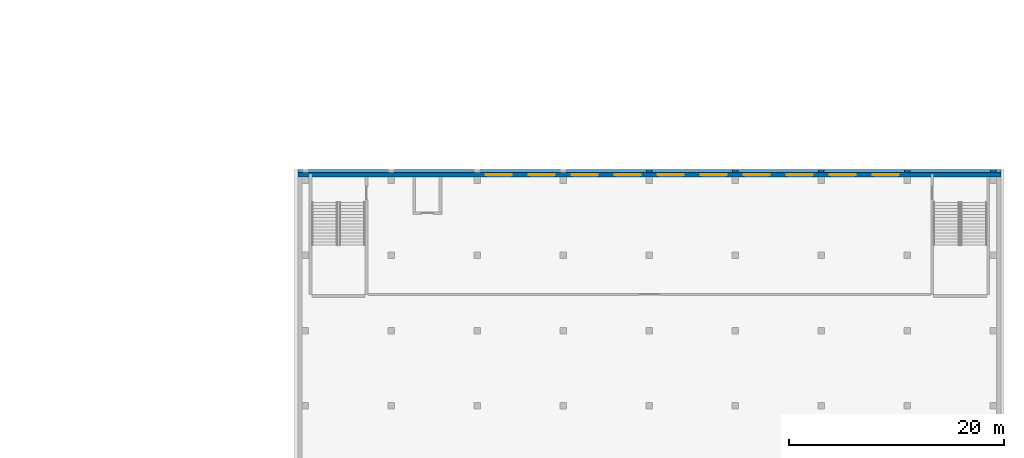
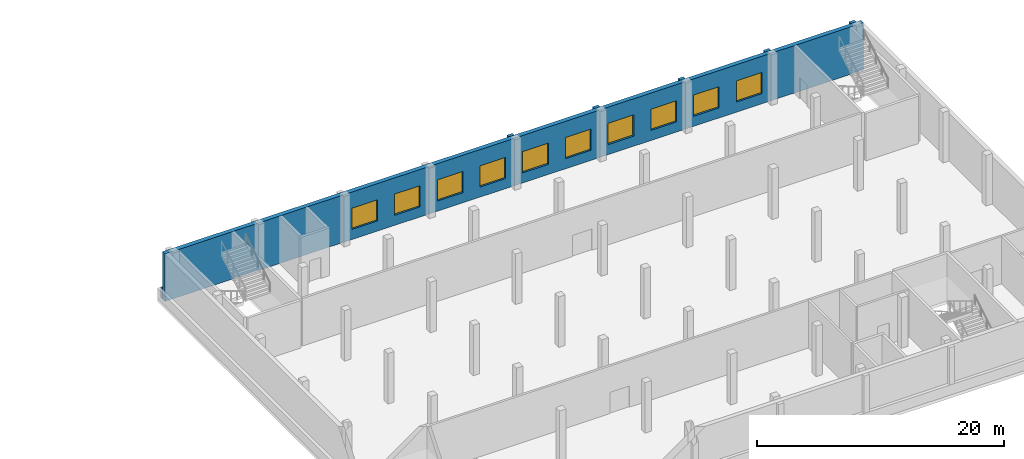
# One storey, part 12 of 32: 10 windows, 7 walls, 10 openings.
"""IFC4 building model written with IfcOpenShell, lengths in metres."""

from ifc_helpers import new_model, si_unit, direction, frame, frame_2d, origin, place, context, subcontext, project, spatial, rectangle, extrude, material, layer, layer_set, type_object, element, fill, save


model = new_model("IFC4")

# Units and contexts
model_context = context("Model", 3, precision=1e-05, world=origin(), true_north=direction((0.0, 1.0)))
body_context = subcontext(model_context, "Body", "Model", "MODEL_VIEW")
ifc_project = project(units=[si_unit("LENGTHUNIT", "METRE"), si_unit("AREAUNIT", "SQUARE_METRE"), si_unit("VOLUMEUNIT", "CUBIC_METRE"), si_unit("PLANEANGLEUNIT", "RADIAN"), si_unit("MASSUNIT", "GRAM", prefix="KILO")], contexts=[model_context])

# Site, building, storey
site_placement = place(None, origin())
site = spatial("IfcSite", under=ifc_project, at=site_placement, CompositionType="ELEMENT")
building_placement = place(site_placement, origin())
building = spatial("IfcBuilding", under=site, at=building_placement, Name="Tamorin Gate", CompositionType="ELEMENT")
storey_placement = place(building_placement, frame((0.0, 0.0, 13.5)))
storey = spatial("IfcBuildingStorey", under=building, at=storey_placement, Name="L02", CompositionType="ELEMENT", Elevation=13.5)

# Wall, openings, windows
ifc_material_1 = material(Name="Concrete C40/50", Category="concrete")
ifc_layer_1 = layer(ifc_material_1, 0.39990234375)
ifc_layer_set_1 = layer_set([ifc_layer_1], Name="Board-marked concrete facade wall 400 C40/50")
wall_type_1 = type_object("IfcWallType", Name="Board-marked concrete facade wall 400 C40/50", PredefinedType="SOLIDWALL", material=ifc_layer_set_1)
wall_1_placement = place(storey_placement, frame((145.0, 98.199951171875, 0.0), z_axis=(0.0, 0.0, 1.0), x_axis=(1.0, 0.0, 0.0)))
wall_1 = element("IfcWall", 1, at=wall_1_placement, inside=storey, type_object=wall_type_1, Name="Facade wall", PredefinedType="SOLIDWALL", context=body_context, shape_type="SweptSolid", body=[
    extrude(rectangle(XDim=65.39990234375, YDim=0.39990234375, at=frame_2d((32.699951171875, 0.0))), origin(), (0.0, 0.0, 1.0), 4.699951171875),
])
opening_1_placement = place(wall_1_placement, frame((17.5, 0.0, 1.0)))
opening_1 = element("IfcOpeningElement", 2, at=opening_1_placement, cuts=wall_1, Name="Opening WNM1", PredefinedType="OPENING", context=body_context, shape_type="SweptSolid", body=[
    extrude(rectangle(XDim=2.39990234375, YDim=2.10009765625, at=frame_2d((1.199951171875, 1.050048828125))), frame((0.0, 0.2099609375, 0.0), z_axis=(0.0, -1.0, 0.0), x_axis=(1.0, 0.0, 0.0)), (0.0, 0.0, 1.0), 0.419921875),
])
opening_2_placement = place(wall_1_placement, frame((21.5, 0.0, 1.0)))
opening_2 = element("IfcOpeningElement", 3, at=opening_2_placement, cuts=wall_1, Name="Opening WNM1", PredefinedType="OPENING", context=body_context, shape_type="SweptSolid", body=[
    extrude(rectangle(XDim=2.39990234375, YDim=2.10009765625, at=frame_2d((1.199951171875, 1.050048828125))), frame((0.0, 0.2099609375, 0.0), z_axis=(0.0, -1.0, 0.0), x_axis=(1.0, 0.0, 0.0)), (0.0, 0.0, 1.0), 0.419921875),
])
opening_3_placement = place(wall_1_placement, frame((25.5, 0.0, 1.0)))
opening_3 = element("IfcOpeningElement", 4, at=opening_3_placement, cuts=wall_1, Name="Opening WNM1", PredefinedType="OPENING", context=body_context, shape_type="SweptSolid", body=[
    extrude(rectangle(XDim=2.39990234375, YDim=2.10009765625, at=frame_2d((1.199951171875, 1.050048828125))), frame((0.0, 0.2099609375, 0.0), z_axis=(0.0, -1.0, 0.0), x_axis=(1.0, 0.0, 0.0)), (0.0, 0.0, 1.0), 0.419921875),
])
opening_4_placement = place(wall_1_placement, frame((29.5, 0.0, 1.0)))
opening_4 = element("IfcOpeningElement", 5, at=opening_4_placement, cuts=wall_1, Name="Opening WNM1", PredefinedType="OPENING", context=body_context, shape_type="SweptSolid", body=[
    extrude(rectangle(XDim=2.39990234375, YDim=2.10009765625, at=frame_2d((1.199951171875, 1.050048828125))), frame((0.0, 0.2099609375, 0.0), z_axis=(0.0, -1.0, 0.0), x_axis=(1.0, 0.0, 0.0)), (0.0, 0.0, 1.0), 0.419921875),
])
opening_5_placement = place(wall_1_placement, frame((33.5, 0.0, 1.0)))
opening_5 = element("IfcOpeningElement", 6, at=opening_5_placement, cuts=wall_1, Name="Opening WNM1", PredefinedType="OPENING", context=body_context, shape_type="SweptSolid", body=[
    extrude(rectangle(XDim=2.39990234375, YDim=2.10009765625, at=frame_2d((1.199951171875, 1.050048828125))), frame((0.0, 0.2099609375, 0.0), z_axis=(0.0, -1.0, 0.0), x_axis=(1.0, 0.0, 0.0)), (0.0, 0.0, 1.0), 0.419921875),
])
opening_6_placement = place(wall_1_placement, frame((37.5, 0.0, 1.0)))
opening_6 = element("IfcOpeningElement", 7, at=opening_6_placement, cuts=wall_1, Name="Opening WNM1", PredefinedType="OPENING", context=body_context, shape_type="SweptSolid", body=[
    extrude(rectangle(XDim=2.39990234375, YDim=2.10009765625, at=frame_2d((1.199951171875, 1.050048828125))), frame((0.0, 0.2099609375, 0.0), z_axis=(0.0, -1.0, 0.0), x_axis=(1.0, 0.0, 0.0)), (0.0, 0.0, 1.0), 0.419921875),
])
opening_7_placement = place(wall_1_placement, frame((41.5, 0.0, 1.0)))
opening_7 = element("IfcOpeningElement", 8, at=opening_7_placement, cuts=wall_1, Name="Opening WNM1", PredefinedType="OPENING", context=body_context, shape_type="SweptSolid", body=[
    extrude(rectangle(XDim=2.39990234375, YDim=2.10009765625, at=frame_2d((1.199951171875, 1.050048828125))), frame((0.0, 0.2099609375, 0.0), z_axis=(0.0, -1.0, 0.0), x_axis=(1.0, 0.0, 0.0)), (0.0, 0.0, 1.0), 0.419921875),
])
opening_8_placement = place(wall_1_placement, frame((45.5, 0.0, 1.0)))
opening_8 = element("IfcOpeningElement", 9, at=opening_8_placement, cuts=wall_1, Name="Opening WNM1", PredefinedType="OPENING", context=body_context, shape_type="SweptSolid", body=[
    extrude(rectangle(XDim=2.39990234375, YDim=2.10009765625, at=frame_2d((1.199951171875, 1.050048828125))), frame((0.0, 0.2099609375, 0.0), z_axis=(0.0, -1.0, 0.0), x_axis=(1.0, 0.0, 0.0)), (0.0, 0.0, 1.0), 0.419921875),
])
opening_9_placement = place(wall_1_placement, frame((49.5, 0.0, 1.0)))
opening_9 = element("IfcOpeningElement", 10, at=opening_9_placement, cuts=wall_1, Name="Opening WNM1", PredefinedType="OPENING", context=body_context, shape_type="SweptSolid", body=[
    extrude(rectangle(XDim=2.39990234375, YDim=2.10009765625, at=frame_2d((1.199951171875, 1.050048828125))), frame((0.0, 0.2099609375, 0.0), z_axis=(0.0, -1.0, 0.0), x_axis=(1.0, 0.0, 0.0)), (0.0, 0.0, 1.0), 0.419921875),
])
opening_10_placement = place(wall_1_placement, frame((53.5, 0.0, 1.0)))
opening_10 = element("IfcOpeningElement", 11, at=opening_10_placement, cuts=wall_1, Name="Opening WNM1", PredefinedType="OPENING", context=body_context, shape_type="SweptSolid", body=[
    extrude(rectangle(XDim=2.39990234375, YDim=2.10009765625, at=frame_2d((1.199951171875, 1.050048828125))), frame((0.0, 0.2099609375, 0.0), z_axis=(0.0, -1.0, 0.0), x_axis=(1.0, 0.0, 0.0)), (0.0, 0.0, 1.0), 0.419921875),
])
ifc_material_2 = material(Name="Aluminium and glass", Category="aluminium")
window_type = type_object("IfcWindowType", Name="Deep-set window 2400x1500", PartitioningType="SINGLE_PANEL", PredefinedType="WINDOW", material=ifc_material_2)
window_1_placement = place(opening_1_placement, origin())
window_1 = element("IfcWindow", 12, at=window_1_placement, inside=storey, type_object=window_type, Name="Deep-set window", OverallHeight=2.10009765625, OverallWidth=2.39990234375, PartitioningType="SINGLE_PANEL", PredefinedType="WINDOW", context=body_context, shape_type="SweptSolid", body=[
    extrude(rectangle(XDim=2.39990234375, YDim=2.10009765625, at=frame_2d((1.199951171875, 1.050048828125))), frame((0.0, 0.030029296875, 0.0), z_axis=(0.0, -1.0, 0.0), x_axis=(1.0, 0.0, 0.0)), (0.0, 0.0, 1.0), 0.06005859375),
])
fill(opening_1, window_1)
window_2_placement = place(opening_2_placement, origin())
window_2 = element("IfcWindow", 13, at=window_2_placement, inside=storey, type_object=window_type, Name="Deep-set window", OverallHeight=2.10009765625, OverallWidth=2.39990234375, PartitioningType="SINGLE_PANEL", PredefinedType="WINDOW", context=body_context, shape_type="SweptSolid", body=[
    extrude(rectangle(XDim=2.39990234375, YDim=2.10009765625, at=frame_2d((1.199951171875, 1.050048828125))), frame((0.0, 0.030029296875, 0.0), z_axis=(0.0, -1.0, 0.0), x_axis=(1.0, 0.0, 0.0)), (0.0, 0.0, 1.0), 0.06005859375),
])
fill(opening_2, window_2)
window_3_placement = place(opening_3_placement, origin())
window_3 = element("IfcWindow", 14, at=window_3_placement, inside=storey, type_object=window_type, Name="Deep-set window", OverallHeight=2.10009765625, OverallWidth=2.39990234375, PartitioningType="SINGLE_PANEL", PredefinedType="WINDOW", context=body_context, shape_type="SweptSolid", body=[
    extrude(rectangle(XDim=2.39990234375, YDim=2.10009765625, at=frame_2d((1.199951171875, 1.050048828125))), frame((0.0, 0.030029296875, 0.0), z_axis=(0.0, -1.0, 0.0), x_axis=(1.0, 0.0, 0.0)), (0.0, 0.0, 1.0), 0.06005859375),
])
fill(opening_3, window_3)
window_4_placement = place(opening_4_placement, origin())
window_4 = element("IfcWindow", 15, at=window_4_placement, inside=storey, type_object=window_type, Name="Deep-set window", OverallHeight=2.10009765625, OverallWidth=2.39990234375, PartitioningType="SINGLE_PANEL", PredefinedType="WINDOW", context=body_context, shape_type="SweptSolid", body=[
    extrude(rectangle(XDim=2.39990234375, YDim=2.10009765625, at=frame_2d((1.199951171875, 1.050048828125))), frame((0.0, 0.030029296875, 0.0), z_axis=(0.0, -1.0, 0.0), x_axis=(1.0, 0.0, 0.0)), (0.0, 0.0, 1.0), 0.06005859375),
])
fill(opening_4, window_4)
window_5_placement = place(opening_5_placement, origin())
window_5 = element("IfcWindow", 16, at=window_5_placement, inside=storey, type_object=window_type, Name="Deep-set window", OverallHeight=2.10009765625, OverallWidth=2.39990234375, PartitioningType="SINGLE_PANEL", PredefinedType="WINDOW", context=body_context, shape_type="SweptSolid", body=[
    extrude(rectangle(XDim=2.39990234375, YDim=2.10009765625, at=frame_2d((1.199951171875, 1.050048828125))), frame((0.0, 0.030029296875, 0.0), z_axis=(0.0, -1.0, 0.0), x_axis=(1.0, 0.0, 0.0)), (0.0, 0.0, 1.0), 0.06005859375),
])
fill(opening_5, window_5)
window_6_placement = place(opening_6_placement, origin())
window_6 = element("IfcWindow", 17, at=window_6_placement, inside=storey, type_object=window_type, Name="Deep-set window", OverallHeight=2.10009765625, OverallWidth=2.39990234375, PartitioningType="SINGLE_PANEL", PredefinedType="WINDOW", context=body_context, shape_type="SweptSolid", body=[
    extrude(rectangle(XDim=2.39990234375, YDim=2.10009765625, at=frame_2d((1.199951171875, 1.050048828125))), frame((0.0, 0.030029296875, 0.0), z_axis=(0.0, -1.0, 0.0), x_axis=(1.0, 0.0, 0.0)), (0.0, 0.0, 1.0), 0.06005859375),
])
fill(opening_6, window_6)
window_7_placement = place(opening_7_placement, origin())
window_7 = element("IfcWindow", 18, at=window_7_placement, inside=storey, type_object=window_type, Name="Deep-set window", OverallHeight=2.10009765625, OverallWidth=2.39990234375, PartitioningType="SINGLE_PANEL", PredefinedType="WINDOW", context=body_context, shape_type="SweptSolid", body=[
    extrude(rectangle(XDim=2.39990234375, YDim=2.10009765625, at=frame_2d((1.199951171875, 1.050048828125))), frame((0.0, 0.030029296875, 0.0), z_axis=(0.0, -1.0, 0.0), x_axis=(1.0, 0.0, 0.0)), (0.0, 0.0, 1.0), 0.06005859375),
])
fill(opening_7, window_7)
window_8_placement = place(opening_8_placement, origin())
window_8 = element("IfcWindow", 19, at=window_8_placement, inside=storey, type_object=window_type, Name="Deep-set window", OverallHeight=2.10009765625, OverallWidth=2.39990234375, PartitioningType="SINGLE_PANEL", PredefinedType="WINDOW", context=body_context, shape_type="SweptSolid", body=[
    extrude(rectangle(XDim=2.39990234375, YDim=2.10009765625, at=frame_2d((1.199951171875, 1.050048828125))), frame((0.0, 0.030029296875, 0.0), z_axis=(0.0, -1.0, 0.0), x_axis=(1.0, 0.0, 0.0)), (0.0, 0.0, 1.0), 0.06005859375),
])
fill(opening_8, window_8)
window_9_placement = place(opening_9_placement, origin())
window_9 = element("IfcWindow", 20, at=window_9_placement, inside=storey, type_object=window_type, Name="Deep-set window", OverallHeight=2.10009765625, OverallWidth=2.39990234375, PartitioningType="SINGLE_PANEL", PredefinedType="WINDOW", context=body_context, shape_type="SweptSolid", body=[
    extrude(rectangle(XDim=2.39990234375, YDim=2.10009765625, at=frame_2d((1.199951171875, 1.050048828125))), frame((0.0, 0.030029296875, 0.0), z_axis=(0.0, -1.0, 0.0), x_axis=(1.0, 0.0, 0.0)), (0.0, 0.0, 1.0), 0.06005859375),
])
fill(opening_9, window_9)
window_10_placement = place(opening_10_placement, origin())
window_10 = element("IfcWindow", 21, at=window_10_placement, inside=storey, type_object=window_type, Name="Deep-set window", OverallHeight=2.10009765625, OverallWidth=2.39990234375, PartitioningType="SINGLE_PANEL", PredefinedType="WINDOW", context=body_context, shape_type="SweptSolid", body=[
    extrude(rectangle(XDim=2.39990234375, YDim=2.10009765625, at=frame_2d((1.199951171875, 1.050048828125))), frame((0.0, 0.030029296875, 0.0), z_axis=(0.0, -1.0, 0.0), x_axis=(1.0, 0.0, 0.0)), (0.0, 0.0, 1.0), 0.06005859375),
])
fill(opening_10, window_10)

# Walls
ifc_layer_2 = layer(ifc_material_1, 0.300048828125)
ifc_layer_set_2 = layer_set([ifc_layer_2], Name="Precast concrete band wall 300 C40/50")
wall_type_2 = type_object("IfcWallType", Name="Precast concrete band wall 300 C40/50", PredefinedType="STANDARD", material=ifc_layer_set_2)
wall_2_placement = place(storey_placement, frame((145.0, 98.550048828125, 0.0), z_axis=(0.0, 0.0, 1.0), x_axis=(1.0, 0.0, 0.0)))
element("IfcWall", 22, at=wall_2_placement, inside=storey, type_object=wall_type_2, Name="Precast band", PredefinedType="STANDARD", context=body_context, shape_type="SweptSolid", body=[
    extrude(rectangle(XDim=65.39990234375, YDim=0.300048828125, at=frame_2d((32.699951171875, 0.0))), origin(), (0.0, 0.0, 1.0), 1.0),
])
ifc_layer_3 = layer(ifc_material_1, 0.5)
ifc_layer_set_3 = layer_set([ifc_layer_3], Name="Precast rib wall 500 C40/50")
wall_type_3 = type_object("IfcWallType", Name="Precast rib wall 500 C40/50", PredefinedType="STANDARD", material=ifc_layer_set_3)
for number, where, z_axis, x_axis, name in (
    (23, (177.699951171875, 98.39990234375, 1.0), (0.0, 0.0, 1.0), (0.0, 1.0, 0.0), "Precast rib"),
    (24, (185.699951171875, 98.39990234375, 1.0), (0.0, 0.0, 1.0), (0.0, 1.0, 0.0), "Precast rib"),
    (25, (193.699951171875, 98.39990234375, 1.0), (0.0, 0.0, 1.0), (0.0, 1.0, 0.0), "Precast rib"),
    (26, (201.699951171875, 98.39990234375, 1.0), (0.0, 0.0, 1.0), (0.0, 1.0, 0.0), "Precast rib"),
    (27, (209.699951171875, 98.39990234375, 1.0), (0.0, 0.0, 1.0), (0.0, 1.0, 0.0), "Precast rib"),
):
    element("IfcWall", number, at=place(storey_placement, frame(where, z_axis=z_axis, x_axis=x_axis)), inside=storey, type_object=wall_type_3, Name=name, PredefinedType="STANDARD", context=body_context, shape_type="SweptSolid", body=[
        extrude(rectangle(XDim=0.300048828125, YDim=0.5, at=frame_2d((0.14990234375, 0.0))), origin(), (0.0, 0.0, 1.0), 3.699951171875),
    ])

save(model, "model.ifc")
